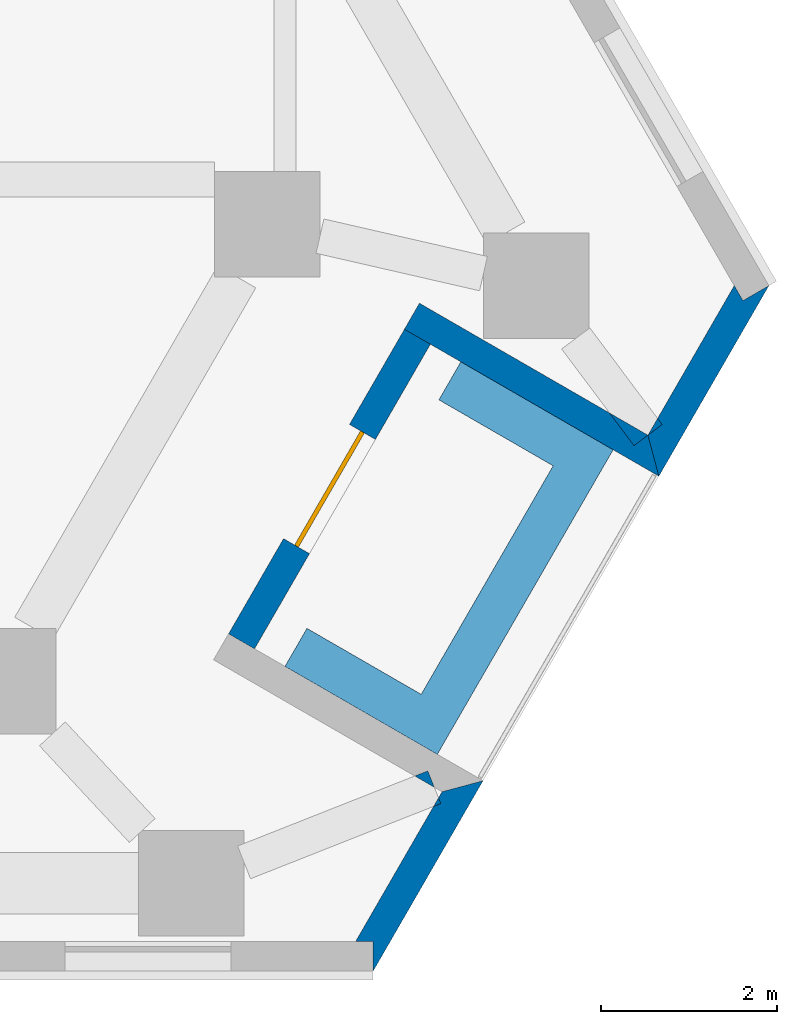
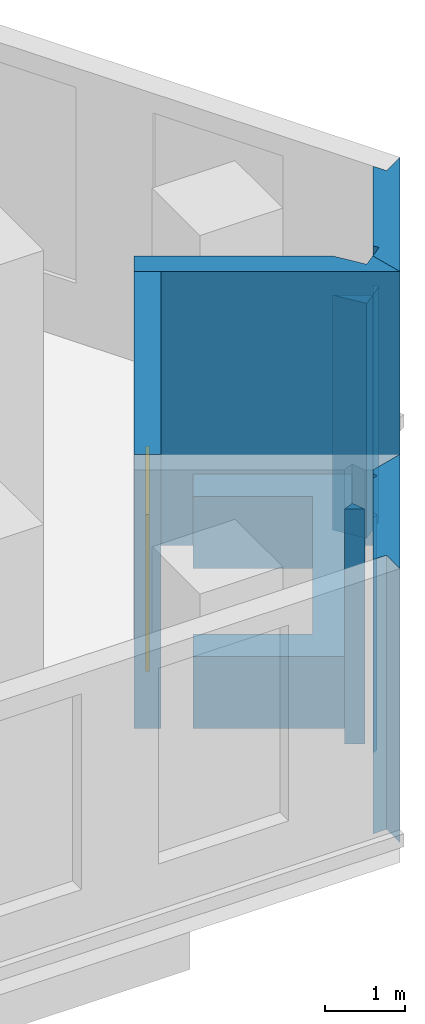
# One storey, part 7 of 14: 9 walls, 1 door, 1 opening.
"""IFC4 building model written with IfcOpenShell, lengths in metres."""

from ifc_helpers import new_model, si_unit, direction, frame, frame_2d, origin, place, context, subcontext, project, spatial, polyline, rectangle, outline, extrude, material, layer, layer_set, type_object, element, fill, save


model = new_model("IFC4")

# Units and contexts
model_context = context("Model", 3, precision=1e-05, world=origin(), true_north=direction((0.0, 1.0)))
body_context = subcontext(model_context, "Body", "Model", "MODEL_VIEW")
ifc_project = project(units=[si_unit("LENGTHUNIT", "METRE"), si_unit("AREAUNIT", "SQUARE_METRE"), si_unit("VOLUMEUNIT", "CUBIC_METRE"), si_unit("PLANEANGLEUNIT", "RADIAN"), si_unit("MASSUNIT", "GRAM", prefix="KILO")], contexts=[model_context])

# Site, building, storey
site_placement = place(None, origin())
site = spatial("IfcSite", under=ifc_project, at=site_placement, CompositionType="ELEMENT")
building_placement = place(site_placement, origin())
building = spatial("IfcBuilding", under=site, at=building_placement, Name="Fogline Exchange Tower", CompositionType="ELEMENT")
storey_placement = place(building_placement, frame((0.0, 0.0, 29.5)))
storey = spatial("IfcBuildingStorey", under=building, at=storey_placement, Name="L05", CompositionType="ELEMENT", Elevation=29.5)

# Walls
ifc_material_1 = material(Name="Brick masonry", Category="masonry")
ifc_layer_1 = layer(ifc_material_1, 0.340087890625)
ifc_layer_set_1 = layer_set([ifc_layer_1], Name="FW1")
wall_type_1 = type_object("IfcWallType", Name="FW1", PredefinedType="SOLIDWALL", material=ifc_layer_set_1)
wall_1_placement = place(storey_placement, origin())
element("IfcWall", 1, at=wall_1_placement, inside=storey, type_object=wall_type_1, Name="Brick wall L05 SE-c1", PredefinedType="SOLIDWALL", context=body_context, shape_type="SweptSolid", body=[
    extrude(outline(polyline([(28.744384765625, 1.970703125), (28.77001953125, 1.906005859375), (28.6884765625, 1.873779296875), (28.744384765625, 1.970703125)])), origin(), (0.0, 0.0, 1.0), 3.60009765625),
])
wall_2_placement = place(storey_placement, origin())
element("IfcWall", 2, at=wall_2_placement, inside=storey, type_object=wall_type_1, Name="Brick wall L05 SE-c1", PredefinedType="SOLIDWALL", context=body_context, shape_type="SweptSolid", body=[
    extrude(outline(polyline([(28.0, -0.001220703125), (27.99951171875, -0.0009765625), (27.99951171875, 0.33935546875), (27.802734375, 0.33935546875), (28.6884765625, 1.873779296875), (28.77001953125, 1.906005859375), (28.744384765625, 1.970703125), (28.78515625, 2.041015625), (29.2509765625, 2.166015625), (29.2509765625, 2.165771484375), (28.0, -0.001220703125)])), origin(), (0.0, 0.0, 1.0), 4.199951171875),
])
wall_3_placement = place(storey_placement, origin())
element("IfcWall", 3, at=wall_3_placement, inside=storey, type_object=wall_type_1, Name="Brick wall L05 SE-s1", PredefinedType="SOLIDWALL", context=body_context, shape_type="SweptSolid", body=[
    extrude(outline(polyline([(28.474609375, 2.219482421875), (28.623046875, 2.278076171875), (28.69677734375, 2.091064453125), (28.474609375, 2.219482421875)])), origin(), (0.0, 0.0, 1.0), 3.60009765625),
])

# Wall, opening, door
wall_4_placement = place(storey_placement, frame((26.504638671875, 3.75, 0.0), z_axis=(0.0, 0.0, 1.0), x_axis=(0.49999894854, 0.866026010844, 0.0)))
wall_4 = element("IfcWall", 4, at=wall_4_placement, inside=storey, type_object=wall_type_1, Name="Brick wall L05 SE-bk", PredefinedType="SOLIDWALL", context=body_context, shape_type="SweptSolid", body=[
    extrude(rectangle(XDim=4.0, YDim=0.340087890625, at=frame_2d((2.0, 0.0))), origin(), (0.0, 0.0, 1.0), 4.199951171875),
])
opening_placement = place(wall_4_placement, frame((1.25, 0.0, 0.0)))
opening = element("IfcOpeningElement", 5, at=opening_placement, cuts=wall_4, Name="Opening T01-E081", PredefinedType="OPENING", context=body_context, shape_type="SweptSolid", body=[
    extrude(rectangle(XDim=1.5, YDim=2.39990234375, at=frame_2d((0.75, 1.199951171875))), frame((0.0, 0.18017578125, 0.0), z_axis=(0.0, -1.0, 0.0), x_axis=(1.0, 0.0, 0.0)), (0.0, 0.0, 1.0), 0.360107421875),
])
ifc_material_2 = material(Name="Aluminium and glass", Category="aluminium")
door_type = type_object("IfcDoorType", Name="ED4", OperationType="SINGLE_SWING_LEFT", PredefinedType="DOOR", material=ifc_material_2)
door_placement = place(opening_placement, frame((1.5, 0.0, 0.0), z_axis=(0.0, 0.0, 1.0), x_axis=(-1.0, 0.0, 0.0)))
door = element("IfcDoor", 6, at=door_placement, inside=storey, type_object=door_type, Name="Balcony door L05 SE", OperationType="DOUBLE_DOOR_SINGLE_SWING", OverallHeight=2.39990234375, OverallWidth=1.5, PredefinedType="DOOR", context=body_context, shape_type="SweptSolid", body=[
    extrude(rectangle(XDim=1.5, YDim=2.39990234375, at=frame_2d((0.75, 1.199951171875))), frame((0.0, 0.02490234375, 0.0), z_axis=(0.0, -1.0, 0.0), x_axis=(1.0, 0.0, 0.0)), (0.0, 0.0, 1.0), 0.050048828125),
])
fill(opening, door)

# Walls
wall_5_placement = place(storey_placement, origin())
element("IfcWall", 7, at=wall_5_placement, inside=storey, type_object=wall_type_1, Name="Brick wall L05 SE-s2", PredefinedType="SOLIDWALL", context=body_context, shape_type="SweptSolid", body=[
    extrude(outline(polyline([(31.125244140625, 6.094482421875), (30.966552734375, 5.9755859375), (30.689208984375, 6.34619140625), (31.125244140625, 6.094482421875)])), origin(), (0.0, 0.0, 1.0), 3.60009765625),
])
wall_6_placement = place(storey_placement, origin())
element("IfcWall", 8, at=wall_6_placement, inside=storey, type_object=wall_type_1, Name="Brick wall L05 SE-s2", PredefinedType="SOLIDWALL", context=body_context, shape_type="SweptSolid", body=[
    extrude(outline(polyline([(28.651611328125, 7.128662109375), (28.356689453125, 7.298828125), (28.52734375, 7.594482421875), (30.689208984375, 6.34619140625), (30.966552734375, 5.9755859375), (31.125244140625, 6.094482421875), (31.1259765625, 6.093994140625), (31.250732421875, 5.62841796875), (31.25048828125, 5.628173828125), (28.651611328125, 7.128662109375)])), origin(), (0.0, 0.0, 1.0), 4.199951171875),
])
wall_7_placement = place(storey_placement, origin())
element("IfcWall", 9, at=wall_7_placement, inside=storey, type_object=wall_type_1, Name="Brick wall L05 SE-c2", PredefinedType="SOLIDWALL", context=body_context, shape_type="SweptSolid", body=[
    extrude(outline(polyline([(31.235107421875, 6.284423828125), (31.28662109375, 6.21533203125), (31.12548828125, 6.0947265625), (31.235107421875, 6.284423828125)])), origin(), (0.0, 0.0, 1.0), 3.60009765625),
])
wall_8_placement = place(storey_placement, origin())
element("IfcWall", 10, at=wall_8_placement, inside=storey, type_object=wall_type_1, Name="Brick wall L05 SE-c2", PredefinedType="SOLIDWALL", context=body_context, shape_type="SweptSolid", body=[
    extrude(outline(polyline([(32.205810546875, 7.625), (32.500732421875, 7.79541015625), (32.5009765625, 7.794921875), (31.25, 5.6279296875), (31.249755859375, 5.6279296875), (31.125, 6.09375), (31.12548828125, 6.0947265625), (31.28662109375, 6.21533203125), (31.235107421875, 6.284423828125), (32.107421875, 7.79541015625), (32.205810546875, 7.625)])), origin(), (0.0, 0.0, 1.0), 4.199951171875),
])
ifc_material_3 = material(Name="Concrete C30", Category="concrete")
ifc_layer_2 = layer(ifc_material_3, 0.199951171875)
ifc_layer_set_2 = layer_set([ifc_layer_2], Name="PL1")
wall_type_2 = type_object("IfcWallType", Name="PL1", PredefinedType="USERDEFINED", material=ifc_layer_set_2)
wall_9_placement = place(storey_placement, origin())
element("IfcWall", 11, at=wall_9_placement, inside=storey, type_object=wall_type_2, Name="PLANTER balcony L05 SE", ObjectType="PLANTER", PredefinedType="USERDEFINED", context=body_context, shape_type="SweptSolid", body=[
    extrude(outline(polyline([(26.998291015625, 3.465087890625), (28.29736328125, 2.715087890625), (28.29736328125, 2.715087890625), (28.73046875, 2.465087890625), (30.48046875, 5.49609375), (30.73046875, 5.92919921875), (28.998291015625, 6.92919921875), (28.748291015625, 6.49609375), (30.04736328125, 5.74609375), (28.54736328125, 3.148193359375), (27.248291015625, 3.898193359375), (26.998291015625, 3.465087890625)])), origin(), (0.0, 0.0, 1.0), 1.10009765625),
])

save(model, "model.ifc")
